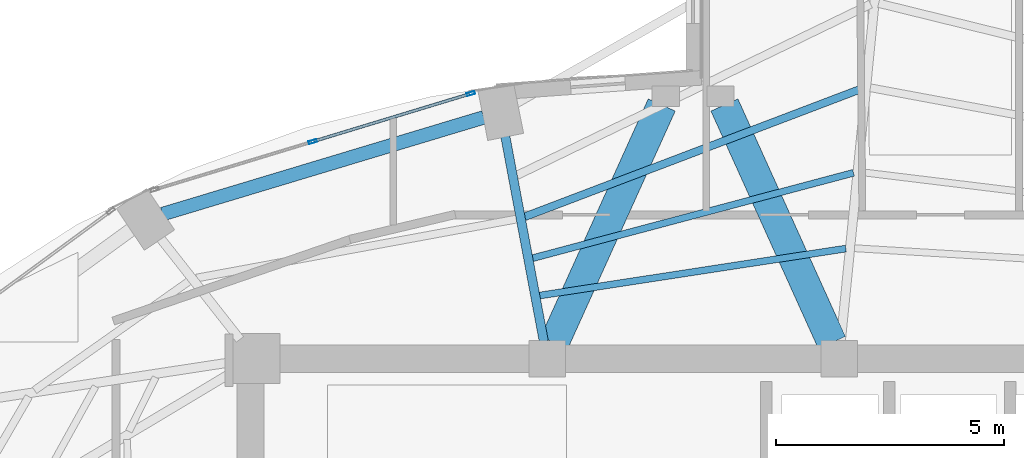
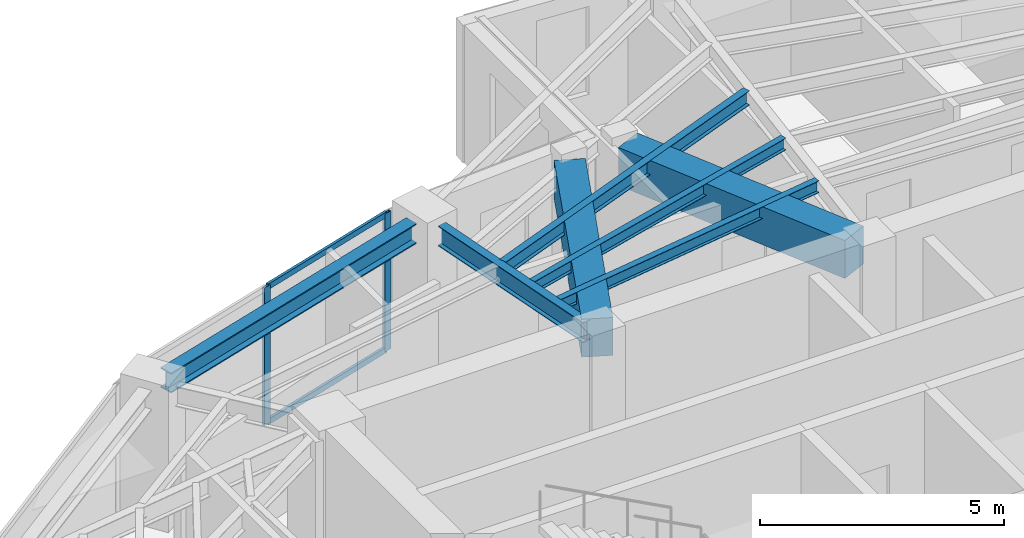
# One storey, part 9 of 21: 7 beams, 4 members, 1 element without a shape of its own.
"""IFC4 building model written with IfcOpenShell, lengths in metres."""

from ifc_helpers import new_model, si_unit, direction, frame, origin, origin_2d, place, context, subcontext, project, spatial, rectangle, hollow_rectangle, i_section, extrude, material, layer, layer_set, material_profile, profile_set, type_object, element, aggregate, save


model = new_model("IFC4")

# Units and contexts
model_context = context("Model", 3, precision=1e-05, world=origin(), true_north=direction((0.0, 1.0)))
body_context = subcontext(model_context, "Body", "Model", "MODEL_VIEW")
ifc_project = project(units=[si_unit("LENGTHUNIT", "METRE"), si_unit("AREAUNIT", "SQUARE_METRE"), si_unit("VOLUMEUNIT", "CUBIC_METRE"), si_unit("PLANEANGLEUNIT", "RADIAN"), si_unit("MASSUNIT", "GRAM", prefix="KILO")], contexts=[model_context])

# Site, building, storey
site_placement = place(None, origin())
site = spatial("IfcSite", under=ifc_project, at=site_placement, CompositionType="ELEMENT")
building_placement = place(site_placement, origin())
building = spatial("IfcBuilding", under=site, at=building_placement, Name="Lazwardi Medical Tower", CompositionType="ELEMENT")
storey_placement = place(building_placement, frame((0.0, 0.0, 220.367919921875)))
storey = spatial("IfcBuildingStorey", under=building, at=storey_placement, Name="L57", CompositionType="ELEMENT", Elevation=220.367919921875)

# Beams
ifc_material_1 = material(Name="Concrete C60/75", Category="concrete")
ifc_material_profile_1 = material_profile(ifc_material_1, rectangle(XDim=0.64990234375, YDim=0.949951171875, at=origin_2d()), Name="RC 650x950")
ifc_profile_set_1 = profile_set([ifc_material_profile_1], Name="Concrete C60/75")
beam_type_1 = type_object("IfcBeamType", Name="BM-CB-RC2", PredefinedType="LINTEL", material=ifc_profile_set_1)
for number, where, z_axis, x_axis, name in (
    (1, (32.95849609375, 35.95068359375, 2.97314453125), (0.412019279944, 0.911175127489, 0.0), (-0.911175127489, 0.412019279944, 0.0), "Core coupling lintel CB-02 PL1 L57"),
    (2, (39.04150390625, 35.95068359375, 2.97314453125), (-0.412019279944, 0.911175127489, 0.0), (-0.911175127489, -0.412019279944, 0.0), "Core coupling lintel CB-02 PL2 L57"),
):
    element("IfcBeam", number, at=place(storey_placement, frame(where, z_axis=z_axis, x_axis=x_axis)), inside=storey, type_object=beam_type_1, Name=name, PredefinedType="LINTEL", context=body_context, shape_type="SweptSolid", body=[
        extrude(rectangle(XDim=0.64990234375, YDim=0.949951171875, at=origin_2d()), origin(), (0.0, 0.0, 1.0), 5.7158203125),
    ])
ifc_material_2 = material(Name="Steel S355", Category="steel")
ifc_material_profile_2 = material_profile(ifc_material_2, i_section(OverallWidth=0.300048828125, OverallDepth=0.5, WebThickness=0.014404296875, FlangeThickness=0.028076171875, at=origin_2d()), Name="HEB 500")
ifc_profile_set_2 = profile_set([ifc_material_profile_2], Name="Steel S355")
beam_type_2 = type_object("IfcBeamType", Name="BM-RB-Z4", PredefinedType="BEAM", material=ifc_profile_set_2)
beam_1_placement = place(storey_placement, frame((31.41259765625, 40.885986328125, 3.197998046875), z_axis=(-0.957544311906, -0.288286126506, 0.0), x_axis=(0.288286126506, -0.957544311906, 0.0)))
element("IfcBeam", 3, at=beam_1_placement, inside=storey, type_object=beam_type_2, Name="Ring beam RB-05 B09 L57", PredefinedType="BEAM", context=body_context, shape_type="SweptSolid", body=[
    extrude(i_section(OverallWidth=0.300048828125, OverallDepth=0.5, WebThickness=0.014404296875, FlangeThickness=0.028076171875, at=origin_2d()), origin(), (0.0, 0.0, 1.0), 7.3515625),
])
ifc_material_profile_3 = material_profile(ifc_material_2, i_section(OverallWidth=0.199951171875, OverallDepth=0.5, WebThickness=0.01025390625, FlangeThickness=0.01611328125, at=origin_2d()), Name="IPE 500")
ifc_profile_set_3 = profile_set([ifc_material_profile_3], Name="Steel S355")
beam_type_3 = type_object("IfcBeamType", Name="BM-RG-W3", PredefinedType="BEAM", material=ifc_profile_set_3)
beam_2_placement = place(storey_placement, frame((31.884765625, 40.472412109375, 3.197998046875), z_axis=(0.184633463507, -0.982807450192, 0.0), x_axis=(0.982807450192, 0.184633463507, 0.0)))
element("IfcBeam", 4, at=beam_2_placement, inside=storey, type_object=beam_type_3, Name="Radial girder RG-04 R09 L57", PredefinedType="BEAM", context=body_context, shape_type="SweptSolid", body=[
    extrude(i_section(OverallWidth=0.199951171875, OverallDepth=0.5, WebThickness=0.01025390625, FlangeThickness=0.01611328125, at=origin_2d()), origin(), (0.0, 0.0, 1.0), 4.572509765625),
])
ifc_material_profile_4 = material_profile(ifc_material_2, i_section(OverallWidth=0.169921875, OverallDepth=0.360107421875, WebThickness=0.008056640625, FlangeThickness=0.0126953125, at=origin_2d()), Name="IPE 360")
ifc_profile_set_4 = profile_set([ifc_material_profile_4], Name="Steel S355")
beam_type_4 = type_object("IfcBeamType", Name="BM-SJ-02", PredefinedType="JOIST", material=ifc_profile_set_4)
beam_3_placement = place(storey_placement, frame((39.703125, 41.51904296875, 3.26806640625), z_axis=(-0.934714470268, -0.355399576633, 0.0), x_axis=(0.355399576633, -0.934714470268, 0.0)))
element("IfcBeam", 5, at=beam_3_placement, inside=storey, type_object=beam_type_4, Name="Secondary joist SJ-02 R2 B08 L57", PredefinedType="JOIST", context=body_context, shape_type="SweptSolid", body=[
    extrude(i_section(OverallWidth=0.169921875, OverallDepth=0.360107421875, WebThickness=0.008056640625, FlangeThickness=0.0126953125, at=origin_2d()), origin(), (0.0, 0.0, 1.0), 7.908203125),
])
ifc_material_profile_5 = material_profile(ifc_material_2, i_section(OverallWidth=0.14990234375, OverallDepth=0.300048828125, WebThickness=0.007080078125, FlangeThickness=0.0107421875, at=origin_2d()), Name="IPE 300")
ifc_profile_set_5 = profile_set([ifc_material_profile_5], Name="Steel S355")
beam_type_5 = type_object("IfcBeamType", Name="BM-SJ-03", PredefinedType="JOIST", material=ifc_profile_set_5)
beam_4_placement = place(storey_placement, frame((39.515380859375, 39.671875, 3.298095703125), z_axis=(-0.966369007826, -0.257159368316, 0.0), x_axis=(0.257159368316, -0.966369007826, 0.0)))
element("IfcBeam", 6, at=beam_4_placement, inside=storey, type_object=beam_type_5, Name="Secondary joist SJ-03 R3 B08 L57", PredefinedType="JOIST", context=body_context, shape_type="SweptSolid", body=[
    extrude(i_section(OverallWidth=0.14990234375, OverallDepth=0.300048828125, WebThickness=0.007080078125, FlangeThickness=0.0107421875, at=origin_2d()), origin(), (0.0, 0.0, 1.0), 7.27685546875),
])
beam_5_placement = place(storey_placement, frame((39.347412109375, 38.010986328125, 3.298095703125), z_axis=(-0.988433562862, -0.151654514629, 0.0), x_axis=(0.151654514629, -0.988433562862, 0.0)))
element("IfcBeam", 7, at=beam_5_placement, inside=storey, type_object=beam_type_5, Name="Secondary joist SJ-03 R4 B08 L57", PredefinedType="JOIST", context=body_context, shape_type="SweptSolid", body=[
    extrude(i_section(OverallWidth=0.14990234375, OverallDepth=0.300048828125, WebThickness=0.007080078125, FlangeThickness=0.0107421875, at=origin_2d()), origin(), (0.0, 0.0, 1.0), 6.788818359375),
])

# Curtain wall, members
ifc_material_3 = material(Name="Anodised bronze aluminium and solar control glazing", Category="aluminium")
ifc_layer = layer(ifc_material_3, 0.18994140625)
ifc_layer_set = layer_set([ifc_layer], Name="Anodised bronze aluminium and solar control glazing")
curtain_wall_type = type_object("IfcCurtainWallType", Name="CW-SYS-04", PredefinedType="NOTDEFINED", material=ifc_layer_set)
curtain_wall_placement = place(storey_placement, origin())
curtain_wall = element("IfcCurtainWall", 8, at=curtain_wall_placement, inside=storey, type_object=curtain_wall_type, Name="L57 Unitised bronze curtain wall CW-04", PredefinedType="NOTDEFINED")
ifc_material_4 = material(Name="Anodised bronze aluminium", Category="aluminium")
ifc_material_profile_6 = material_profile(ifc_material_4, hollow_rectangle(XDim=0.06494140625, YDim=0.179931640625, WallThickness=0.00390625, at=origin_2d()), Name="ALU-MULLION 180x65x4")
ifc_profile_set_6 = profile_set([ifc_material_profile_6], Name="Anodised bronze aluminium")
member_type_1 = type_object("IfcMemberType", Name="CW-MUL-03", PredefinedType="MULLION", material=ifc_profile_set_6)
member_1_placement = place(storey_placement, frame((31.126953125, 41.406982421875, 0.0), z_axis=(0.0, 0.0, 1.0), x_axis=(0.290581889515, -0.956850126972, 0.0)))
member_1 = element("IfcMember", 9, at=member_1_placement, type_object=member_type_1, Name="CW-04 mullion 1", PredefinedType="MULLION", context=body_context, shape_type="SweptSolid", body=[
    extrude(hollow_rectangle(XDim=0.06494140625, YDim=0.179931640625, WallThickness=0.00390625, at=origin_2d()), origin(), (0.0, 0.0, 1.0), 3.447998046875),
])
member_2_placement = place(storey_placement, frame((27.66357421875, 40.355224609375, 0.0), z_axis=(0.0, 0.0, 1.0), x_axis=(0.290581889515, -0.956850126972, 0.0)))
member_2 = element("IfcMember", 10, at=member_2_placement, type_object=member_type_1, Name="CW-04 mullion 2", PredefinedType="MULLION", context=body_context, shape_type="SweptSolid", body=[
    extrude(hollow_rectangle(XDim=0.06494140625, YDim=0.179931640625, WallThickness=0.00390625, at=origin_2d()), origin(), (0.0, 0.0, 1.0), 3.447998046875),
])
ifc_material_profile_7 = material_profile(ifc_material_4, hollow_rectangle(XDim=0.06494140625, YDim=0.139892578125, WallThickness=0.00341796875, at=origin_2d()), Name="ALU-TRANSOM 140x65x3.5")
ifc_profile_set_7 = profile_set([ifc_material_profile_7], Name="Anodised bronze aluminium")
member_type_2 = type_object("IfcMemberType", Name="CW-TRN-03", PredefinedType="USERDEFINED", material=ifc_profile_set_7)
member_3_placement = place(storey_placement, frame((31.095703125, 41.397705078125, 0.032470703125), z_axis=(-0.956843409009, -0.290604010015, 0.0), x_axis=(0.290604010015, -0.956843409009, 0.0)))
member_3 = element("IfcMember", 11, at=member_3_placement, type_object=member_type_2, Name="CW-04 transom 1.1", ObjectType="TRANSOM", PredefinedType="USERDEFINED", context=body_context, shape_type="SweptSolid", body=[
    extrude(hollow_rectangle(XDim=0.06494140625, YDim=0.139892578125, WallThickness=0.00341796875, at=origin_2d()), origin(), (0.0, 0.0, 1.0), 3.554443359375),
])
member_4_placement = place(storey_placement, frame((31.095703125, 41.397705078125, 3.41552734375), z_axis=(-0.956843409009, -0.290604010015, 0.0), x_axis=(0.290604010015, -0.956843409009, 0.0)))
member_4 = element("IfcMember", 12, at=member_4_placement, type_object=member_type_2, Name="CW-04 transom 1.2", ObjectType="TRANSOM", PredefinedType="USERDEFINED", context=body_context, shape_type="SweptSolid", body=[
    extrude(hollow_rectangle(XDim=0.06494140625, YDim=0.139892578125, WallThickness=0.00341796875, at=origin_2d()), origin(), (0.0, 0.0, 1.0), 3.554443359375),
])
aggregate(curtain_wall, [member_1, member_2, member_3, member_4])

save(model, "model.ifc")
